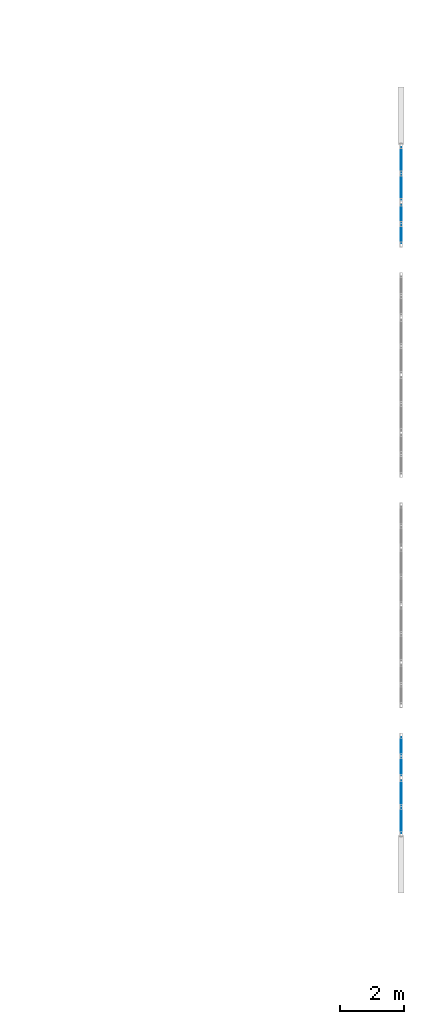
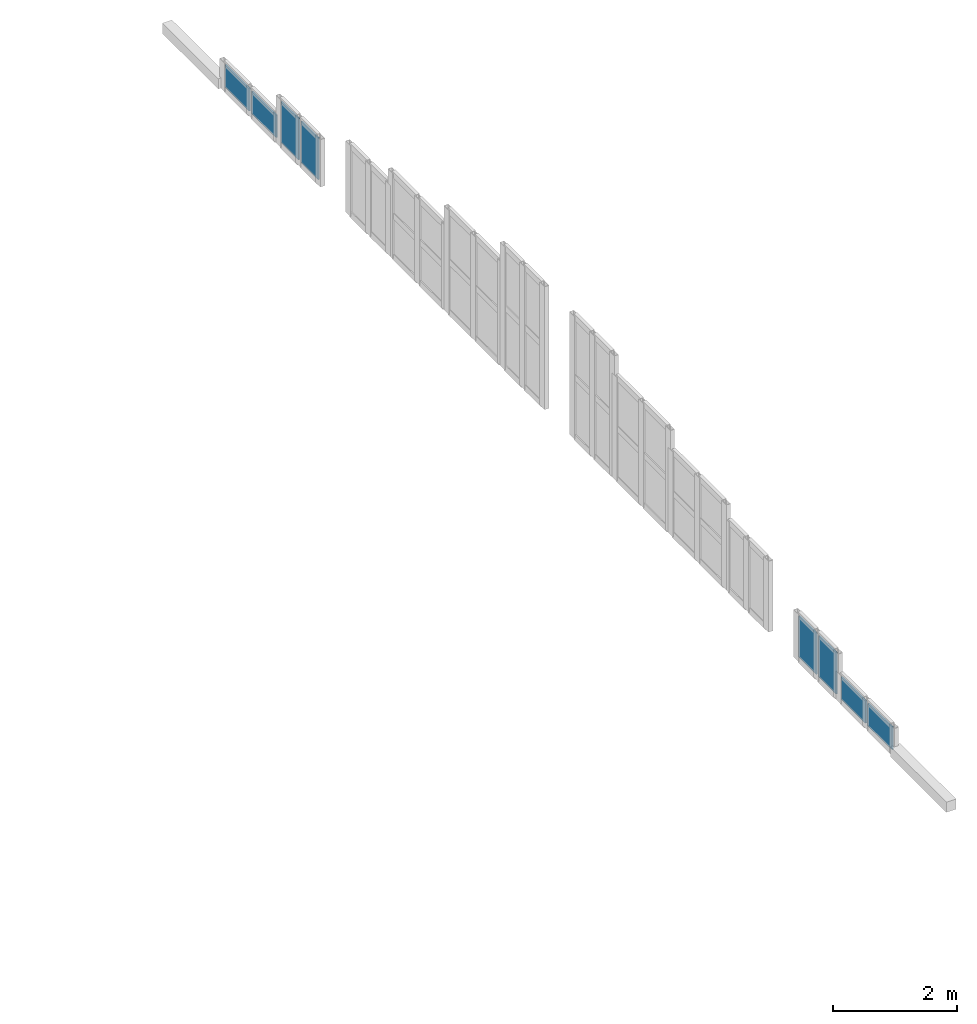
# One storey, part 17 of 20: 8 plates, 4 elements without a shape of their own.
"""IFC4 building model written with IfcOpenShell, lengths in metres."""

from ifc_helpers import new_model, si_unit, direction, frame, origin, origin_2d, place, context, subcontext, project, spatial, rectangle, extrude, material, layer, layer_set, type_object, element, aggregate, save


model = new_model("IFC4")

# Units and contexts
model_context = context("Model", 3, precision=1e-05, world=origin(), true_north=direction((0.0, 1.0)))
body_context = subcontext(model_context, "Body", "Model", "MODEL_VIEW")
ifc_project = project(units=[si_unit("LENGTHUNIT", "METRE"), si_unit("AREAUNIT", "SQUARE_METRE"), si_unit("VOLUMEUNIT", "CUBIC_METRE"), si_unit("PLANEANGLEUNIT", "RADIAN"), si_unit("MASSUNIT", "GRAM", prefix="KILO"), si_unit("THERMODYNAMICTEMPERATUREUNIT", "KELVIN"), si_unit("POWERUNIT", "WATT")], contexts=[model_context])

# Site, building, storey
site_placement = place(None, origin())
site = spatial("IfcSite", under=ifc_project, at=site_placement, CompositionType="ELEMENT")
building_placement = place(site_placement, origin())
building = spatial("IfcBuilding", under=site, at=building_placement, Name="Kaldorven Railside Theatre", CompositionType="ELEMENT")
storey_placement = place(building_placement, frame((0.0, 0.0, 23.10009765625)))
storey = spatial("IfcBuildingStorey", under=building, at=storey_placement, Name="L05", CompositionType="ELEMENT", Elevation=23.10009765625)

# Curtain wall, plates
ifc_material = material(Name="Low-E laminated solar-control glass", Category="glass")
ifc_layer_1 = layer(ifc_material, 0.159912109375, Name="Low-E laminated solar-control glass")
ifc_layer_set_1 = layer_set([ifc_layer_1], Name="Low-E laminated solar-control glass")
curtain_wall_type_1 = type_object("IfcCurtainWallType", Name="CWT-71", PredefinedType="USERDEFINED", material=ifc_layer_set_1)
curtain_wall_1_placement = place(storey_placement, origin())
curtain_wall_1 = element("IfcCurtainWall", 1, at=curtain_wall_1_placement, inside=storey, type_object=curtain_wall_type_1, Name="Production East Gable Clerestory CWG-172", ObjectType="FLUTED GLAZING", PredefinedType="USERDEFINED")
ifc_layer_2 = layer(ifc_material, 0.028076171875, Name="Low-E laminated solar-control glass")
ifc_layer_set_2 = layer_set([ifc_layer_2], Name="Low-E laminated solar-control glass")
plate_type = type_object("IfcPlateType", Name="CWP-GLZ28", PredefinedType="CURTAIN_PANEL", material=ifc_layer_set_2)
plate_1_placement = place(storey_placement, frame((166.39990234375, 116.8701171875, 0.079833984375), z_axis=(0.0, 0.0, 1.0), x_axis=(0.0, 1.0, 0.0)))
plate_1 = element("IfcPlate", 2, at=plate_1_placement, type_object=plate_type, Name="CWG-172 panel 1.1", PredefinedType="CURTAIN_PANEL", context=body_context, shape_type="SweptSolid", body=[
    extrude(rectangle(XDim=0.780029296875, YDim=0.028076171875, at=origin_2d()), origin(), (0.0, 0.0, 1.0), 0.43994140625),
])
plate_2_placement = place(storey_placement, frame((166.39990234375, 117.72998046875, 0.079833984375), z_axis=(0.0, 0.0, 1.0), x_axis=(0.0, 1.0, 0.0)))
plate_2 = element("IfcPlate", 3, at=plate_2_placement, type_object=plate_type, Name="CWG-172 panel 2.1", PredefinedType="CURTAIN_PANEL", context=body_context, shape_type="SweptSolid", body=[
    extrude(rectangle(XDim=0.780029296875, YDim=0.028076171875, at=origin_2d()), origin(), (0.0, 0.0, 1.0), 0.43994140625),
])
aggregate(curtain_wall_1, [plate_1, plate_2])

ifc_layer_3 = layer(ifc_material, 0.159912109375, Name="Low-E laminated solar-control glass")
ifc_layer_set_3 = layer_set([ifc_layer_3], Name="Low-E laminated solar-control glass")
curtain_wall_type_2 = type_object("IfcCurtainWallType", Name="CWT-72", PredefinedType="USERDEFINED", material=ifc_layer_set_3)
curtain_wall_2_placement = place(storey_placement, origin())
curtain_wall_2 = element("IfcCurtainWall", 4, at=curtain_wall_2_placement, inside=storey, type_object=curtain_wall_type_2, Name="Production East Gable Clerestory CWG-173", ObjectType="FLUTED GLAZING", PredefinedType="USERDEFINED")
plate_3_placement = place(storey_placement, frame((166.39990234375, 118.56005859375, 0.079833984375), z_axis=(0.0, 0.0, 1.0), x_axis=(0.0, 1.0, 0.0)))
plate_3 = element("IfcPlate", 5, at=plate_3_placement, type_object=plate_type, Name="CWG-173 panel 1.1", PredefinedType="CURTAIN_PANEL", context=body_context, shape_type="SweptSolid", body=[
    extrude(rectangle(XDim=0.56005859375, YDim=0.028076171875, at=origin_2d()), origin(), (0.0, 0.0, 1.0), 0.81005859375),
])
plate_4_placement = place(storey_placement, frame((166.39990234375, 119.199951171875, 0.079833984375), z_axis=(0.0, 0.0, 1.0), x_axis=(0.0, 1.0, 0.0)))
plate_4 = element("IfcPlate", 6, at=plate_4_placement, type_object=plate_type, Name="CWG-173 panel 2.1", PredefinedType="CURTAIN_PANEL", context=body_context, shape_type="SweptSolid", body=[
    extrude(rectangle(XDim=0.56005859375, YDim=0.028076171875, at=origin_2d()), origin(), (0.0, 0.0, 1.0), 0.81005859375),
])
aggregate(curtain_wall_2, [plate_3, plate_4])

curtain_wall_3_placement = place(storey_placement, origin())
curtain_wall_3 = element("IfcCurtainWall", 7, at=curtain_wall_3_placement, inside=storey, type_object=curtain_wall_type_2, Name="Production East Gable Clerestory CWG-182", ObjectType="FLUTED GLAZING", PredefinedType="USERDEFINED")
plate_5_placement = place(storey_placement, frame((166.39990234375, 135.199951171875, 0.079833984375), z_axis=(0.0, 0.0, 1.0), x_axis=(0.0, 1.0, 0.0)))
plate_5 = element("IfcPlate", 8, at=plate_5_placement, type_object=plate_type, Name="CWG-182 panel 1.1", PredefinedType="CURTAIN_PANEL", context=body_context, shape_type="SweptSolid", body=[
    extrude(rectangle(XDim=0.56005859375, YDim=0.028076171875, at=origin_2d()), origin(), (0.0, 0.0, 1.0), 0.81005859375),
])
plate_6_placement = place(storey_placement, frame((166.39990234375, 135.840087890625, 0.079833984375), z_axis=(0.0, 0.0, 1.0), x_axis=(0.0, 1.0, 0.0)))
plate_6 = element("IfcPlate", 9, at=plate_6_placement, type_object=plate_type, Name="CWG-182 panel 2.1", PredefinedType="CURTAIN_PANEL", context=body_context, shape_type="SweptSolid", body=[
    extrude(rectangle(XDim=0.56005859375, YDim=0.028076171875, at=origin_2d()), origin(), (0.0, 0.0, 1.0), 0.81005859375),
])
aggregate(curtain_wall_3, [plate_5, plate_6])

curtain_wall_4_placement = place(storey_placement, origin())
curtain_wall_4 = element("IfcCurtainWall", 10, at=curtain_wall_4_placement, inside=storey, type_object=curtain_wall_type_1, Name="Production East Gable Clerestory CWG-183", ObjectType="FLUTED GLAZING", PredefinedType="USERDEFINED")
plate_7_placement = place(storey_placement, frame((166.39990234375, 136.669921875, 0.079833984375), z_axis=(0.0, 0.0, 1.0), x_axis=(0.0, 1.0, 0.0)))
plate_7 = element("IfcPlate", 11, at=plate_7_placement, type_object=plate_type, Name="CWG-183 panel 1.1", PredefinedType="CURTAIN_PANEL", context=body_context, shape_type="SweptSolid", body=[
    extrude(rectangle(XDim=0.780029296875, YDim=0.028076171875, at=origin_2d()), origin(), (0.0, 0.0, 1.0), 0.43994140625),
])
plate_8_placement = place(storey_placement, frame((166.39990234375, 137.530029296875, 0.079833984375), z_axis=(0.0, 0.0, 1.0), x_axis=(0.0, 1.0, 0.0)))
plate_8 = element("IfcPlate", 12, at=plate_8_placement, type_object=plate_type, Name="CWG-183 panel 2.1", PredefinedType="CURTAIN_PANEL", context=body_context, shape_type="SweptSolid", body=[
    extrude(rectangle(XDim=0.780029296875, YDim=0.028076171875, at=origin_2d()), origin(), (0.0, 0.0, 1.0), 0.43994140625),
])
aggregate(curtain_wall_4, [plate_7, plate_8])

save(model, "model.ifc")
